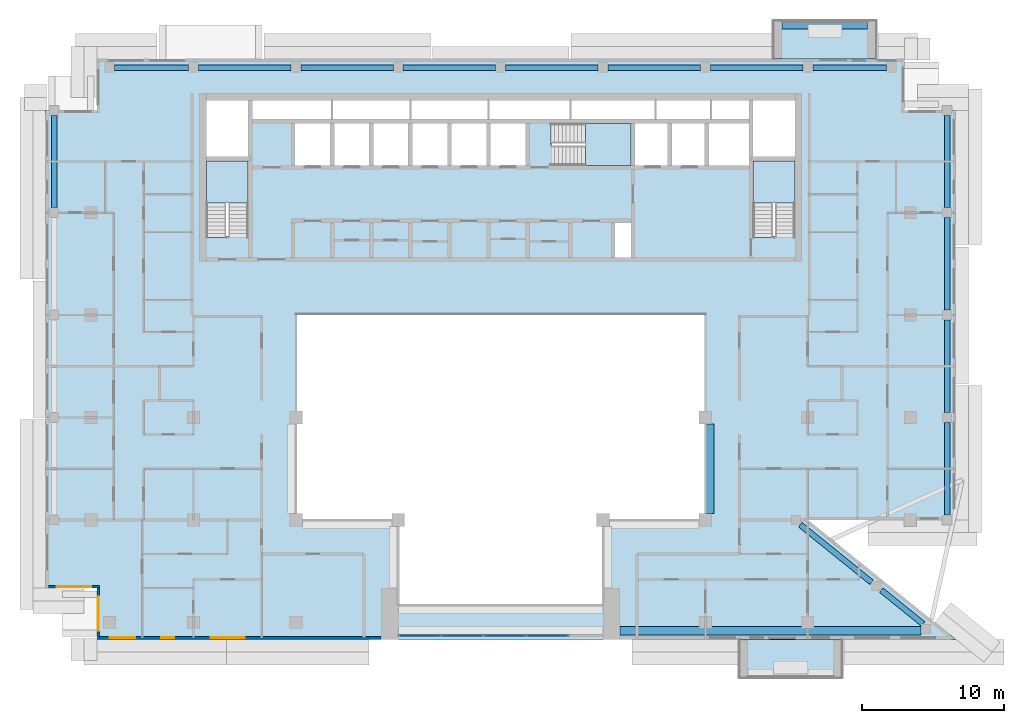
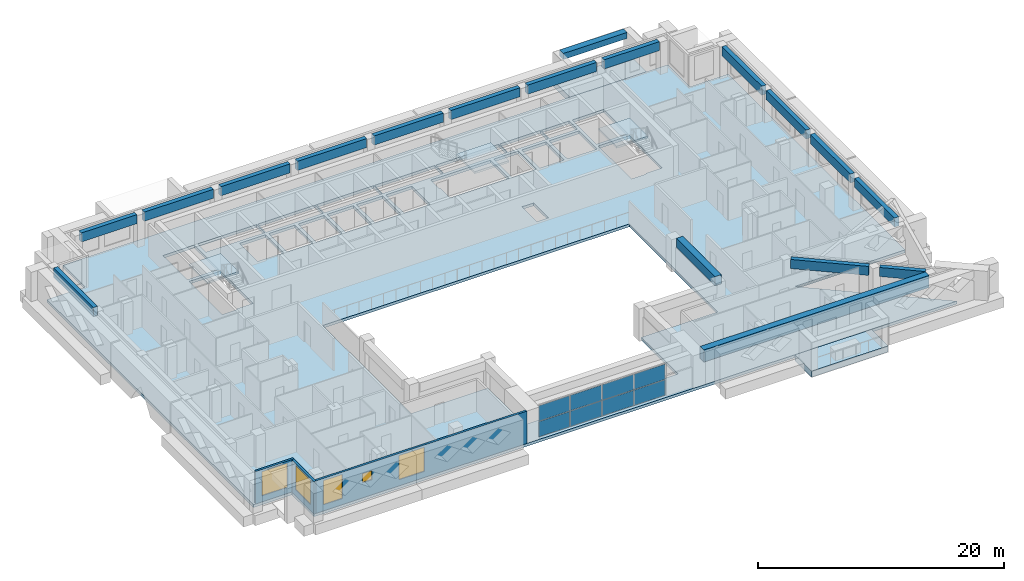
# One storey, part 5 of 19: 18 beams, 8 plates, 6 slabs, 5 windows, 3 walls, 5 openings, 4 elements without a shape of their own.
"""IFC4 building model written with IfcOpenShell, lengths in metres."""

from ifc_helpers import new_model, si_unit, direction, frame, frame_2d, origin, origin_2d, place, context, subcontext, project, spatial, polyline, rectangle, outline, extrude, source, transform, mapped, material, layer, layer_set, material_profile, profile_set, type_object, element, fill, aggregate, save


model = new_model("IFC4")

# Units and contexts
model_context = context("Model", 3, precision=1e-05, world=origin(), true_north=direction((0.0, 1.0)))
body_context = subcontext(model_context, "Body", "Model", "MODEL_VIEW")
ifc_project = project(units=[si_unit("LENGTHUNIT", "METRE"), si_unit("AREAUNIT", "SQUARE_METRE"), si_unit("VOLUMEUNIT", "CUBIC_METRE"), si_unit("PLANEANGLEUNIT", "RADIAN"), si_unit("MASSUNIT", "GRAM", prefix="KILO")], contexts=[model_context])

# Site, building, storey
site_placement = place(None, origin())
site = spatial("IfcSite", under=ifc_project, at=site_placement, CompositionType="ELEMENT")
building_placement = place(site_placement, origin())
building = spatial("IfcBuilding", under=site, at=building_placement, Name="Saffron Iwan Residences", CompositionType="ELEMENT")
storey_placement = place(building_placement, frame((0.0, 0.0, 215.0)))
storey = spatial("IfcBuildingStorey", under=building, at=storey_placement, Name="L57", CompositionType="ELEMENT", Elevation=215.0)

# Beams
ifc_material_1 = material(Name="Concrete C40/50", Category="concrete")
ifc_material_profile_1 = material_profile(ifc_material_1, rectangle(XDim=0.39990234375, YDim=0.89990234375, at=origin_2d()), Name="RC 400x900")
ifc_profile_set_1 = profile_set([ifc_material_profile_1], Name="Concrete C40/50")
beam_type_1 = type_object("IfcBeamType", Name="SPANDREL BEAM RC 400x900 C40/50 TOP 3220", PredefinedType="SPANDREL", material=ifc_profile_set_1)
shared_shape_1 = source(origin(), body_context, "Body", "SweptSolid", [
    extrude(rectangle(XDim=0.39990234375, YDim=0.89990234375, at=origin_2d()), origin(), (0.0, 0.0, 1.0), 3.767578125),
])
beam_1_placement = place(storey_placement, frame((77.173095703125, 43.050537109375, 2.77001953125), z_axis=(0.777920469401, -0.62836274817, 0.0), x_axis=(0.62836274817, 0.777920469401, 0.0)))
element("IfcBeam", 1, at=beam_1_placement, inside=storey, type_object=beam_type_1, Name="Spandrel beam", PredefinedType="SPANDREL", context=body_context, shape_type="MappedRepresentation", body=[
    mapped(shared_shape_1, transform((0.0, 0.0, 0.0))),
])
shared_shape_2 = source(origin(), body_context, "Body", "SweptSolid", [
    extrude(rectangle(XDim=0.39990234375, YDim=0.89990234375, at=origin_2d()), origin(), (0.0, 0.0, 1.0), 6.419921875),
])
beam_2_placement = place(storey_placement, frame((71.478515625, 47.64990234375, 2.77001953125), z_axis=(0.777940465262, -0.628337992253, 0.0), x_axis=(0.628337992253, 0.777940465262, 0.0)))
element("IfcBeam", 2, at=beam_2_placement, inside=storey, type_object=beam_type_1, Name="Spandrel beam", PredefinedType="SPANDREL", context=body_context, shape_type="MappedRepresentation", body=[
    mapped(shared_shape_2, transform((0.0, 0.0, 0.0))),
])
shared_shape_3 = source(origin(), body_context, "Body", "SweptSolid", [
    extrude(rectangle(XDim=0.39990234375, YDim=0.89990234375, at=origin_2d()), origin(), (0.0, 0.0, 1.0), 6.5),
])
for number, where, z_axis, x_axis, name in (
    (3, (81.800048828125, 54.85009765625, 2.77001953125), (0.0, -1.0, 0.0), (1.0, 0.0, 0.0), "Spandrel beam"),
    (4, (81.800048828125, 62.050048828125, 2.77001953125), (0.0, -1.0, 0.0), (1.0, 0.0, 0.0), "Spandrel beam"),
    (5, (81.800048828125, 69.25, 2.77001953125), (0.0, -1.0, 0.0), (1.0, 0.0, 0.0), "Spandrel beam"),
    (6, (19.0, 69.949951171875, 2.77001953125), (0.0, 1.0, 0.0), (-1.0, 0.0, 0.0), "Spandrel beam"),
    (7, (81.800048828125, 76.449951171875, 2.77001953125), (0.0, -1.0, 0.0), (1.0, 0.0, 0.0), "Spandrel beam"),
    (8, (29.14990234375, 79.800048828125, 2.77001953125), (1.0, 0.0, 0.0), (0.0, 1.0, 0.0), "Spandrel beam"),
    (9, (36.35009765625, 79.800048828125, 2.77001953125), (1.0, 0.0, 0.0), (0.0, 1.0, 0.0), "Spandrel beam"),
    (10, (43.550048828125, 79.800048828125, 2.77001953125), (1.0, 0.0, 0.0), (0.0, 1.0, 0.0), "Spandrel beam"),
    (11, (50.75, 79.800048828125, 2.77001953125), (1.0, 0.0, 0.0), (0.0, 1.0, 0.0), "Spandrel beam"),
    (12, (57.949951171875, 79.800048828125, 2.77001953125), (1.0, 0.0, 0.0), (0.0, 1.0, 0.0), "Spandrel beam"),
    (13, (65.14990234375, 79.800048828125, 2.77001953125), (1.0, 0.0, 0.0), (0.0, 1.0, 0.0), "Spandrel beam"),
):
    element("IfcBeam", number, at=place(storey_placement, frame(where, z_axis=z_axis, x_axis=x_axis)), inside=storey, type_object=beam_type_1, Name=name, PredefinedType="SPANDREL", context=body_context, shape_type="MappedRepresentation", body=[
        mapped(shared_shape_3, transform((0.0, 0.0, 0.0))),
    ])
shared_shape_4 = source(origin(), body_context, "Body", "SweptSolid", [
    extrude(rectangle(XDim=0.39990234375, YDim=0.89990234375, at=origin_2d()), origin(), (0.0, 0.0, 1.0), 5.199951171875),
])
for number, where, z_axis, x_axis, name in (
    (14, (23.25, 79.800048828125, 2.77001953125), (1.0, 0.0, 0.0), (0.0, 1.0, 0.0), "Spandrel beam"),
    (15, (72.35009765625, 79.800048828125, 2.77001953125), (1.0, 0.0, 0.0), (0.0, 1.0, 0.0), "Spandrel beam"),
):
    element("IfcBeam", number, at=place(storey_placement, frame(where, z_axis=z_axis, x_axis=x_axis)), inside=storey, type_object=beam_type_1, Name=name, PredefinedType="SPANDREL", context=body_context, shape_type="MappedRepresentation", body=[
        mapped(shared_shape_4, transform((0.0, 0.0, 0.0))),
    ])
ifc_material_profile_2 = material_profile(ifc_material_1, rectangle(XDim=0.60009765625, YDim=1.199951171875, at=origin_2d()), Name="RC 600x1200")
ifc_profile_set_2 = profile_set([ifc_material_profile_2], Name="Concrete C40/50")
beam_type_2 = type_object("IfcBeamType", Name="LINTEL BEAM RC 600x1200 C40/50 TOP 3220", PredefinedType="LINTEL", material=ifc_profile_set_2)
shared_shape_5 = source(origin(), body_context, "Body", "SweptSolid", [
    extrude(rectangle(XDim=0.60009765625, YDim=1.199951171875, at=origin_2d()), origin(), (0.0, 0.0, 1.0), 21.175537109375),
])
beam_3_placement = place(storey_placement, frame((79.9755859375, 40.199951171875, 2.6201171875), z_axis=(-1.0, 0.0, 0.0), x_axis=(0.0, -1.0, 0.0)))
element("IfcBeam", 16, at=beam_3_placement, inside=storey, type_object=beam_type_2, Name="Lintel beam over the iwan", PredefinedType="LINTEL", context=body_context, shape_type="MappedRepresentation", body=[
    mapped(shared_shape_5, transform((0.0, 0.0, 0.0))),
])
ifc_material_profile_3 = material_profile(ifc_material_1, rectangle(XDim=0.60009765625, YDim=0.89990234375, at=origin_2d()), Name="RC 600x900")
ifc_profile_set_3 = profile_set([ifc_material_profile_3], Name="Concrete C40/50")
beam_type_3 = type_object("IfcBeamType", Name="BEAM RC 600x900 C40/50 TOP 3220", PredefinedType="BEAM", material=ifc_profile_set_3)
shared_shape_6 = source(origin(), body_context, "Body", "SweptSolid", [
    extrude(rectangle(XDim=0.60009765625, YDim=0.89990234375, at=origin_2d()), origin(), (0.0, 0.0, 1.0), 6.300048828125),
])
beam_4_placement = place(storey_placement, frame((65.10009765625, 54.75, 2.77001953125), z_axis=(0.0, -1.0, 0.0), x_axis=(1.0, 0.0, 0.0)))
element("IfcBeam", 17, at=beam_4_placement, inside=storey, type_object=beam_type_3, Name="Atrium edge beam", PredefinedType="BEAM", context=body_context, shape_type="MappedRepresentation", body=[
    mapped(shared_shape_6, transform((0.0, 0.0, 0.0))),
])
ifc_material_2 = material(Name="Concrete C50/60 white painted", Category="concrete")
ifc_material_profile_4 = material_profile(ifc_material_2, rectangle(XDim=0.60009765625, YDim=0.60009765625, at=origin_2d()), Name="BALCONY FASCIA BEAM 600 x 600")
ifc_profile_set_4 = profile_set([ifc_material_profile_4], Name="Concrete C50/60 white painted")
beam_type_4 = type_object("IfcBeamType", Name="BALCONY FASCIA BEAM 600 x 600", PredefinedType="BEAM", material=ifc_profile_set_4)
shared_shape_7 = source(origin(), body_context, "Body", "SweptSolid", [
    extrude(rectangle(XDim=0.60009765625, YDim=0.60009765625, at=origin_2d()), origin(), (0.0, 0.0, 1.0), 6.0),
])
beam_5_placement = place(storey_placement, frame((76.199951171875, 82.800048828125, 2.550048828125), z_axis=(-1.0, 0.0, 0.0), x_axis=(0.0, -1.0, 0.0)))
element("IfcBeam", 18, at=beam_5_placement, inside=storey, type_object=beam_type_4, Name="Balcony fascia beam L57 F5-0", PredefinedType="BEAM", context=body_context, shape_type="MappedRepresentation", body=[
    mapped(shared_shape_7, transform((0.0, 0.0, 0.0))),
])

# Slabs
ifc_layer_1 = layer(ifc_material_2, 0.60009765625)
ifc_layer_set_1 = layer_set([ifc_layer_1], Name="Concrete C50/60 white painted")
slab_type_1 = type_object("IfcSlabType", Name="BALCONY FRAME SLAB 600", PredefinedType="FLOOR", material=ifc_layer_set_1)
slab_1_placement = place(storey_placement, frame((0.0, 0.0, -0.60009765625)))
element("IfcSlab", 19, at=slab_1_placement, inside=storey, type_object=slab_type_1, Name="Balcony frame slab L57 F5-0", PredefinedType="FLOOR", context=body_context, shape_type="SweptSolid", body=[
    extrude(outline(polyline([(76.800048828125, 83.10009765625), (69.60009765625, 83.10009765625), (69.60009765625, 80.39990234375), (76.800048828125, 80.39990234375), (76.800048828125, 83.10009765625)])), origin(), (0.0, 0.0, 1.0), 0.60009765625),
])
slab_2_placement = place(storey_placement, frame((0.0, 0.0, -0.60009765625)))
element("IfcSlab", 20, at=slab_2_placement, inside=storey, type_object=slab_type_1, Name="Balcony frame slab L57 11-1", PredefinedType="FLOOR", context=body_context, shape_type="SweptSolid", body=[
    extrude(outline(polyline([(67.199951171875, 36.89990234375), (74.39990234375, 36.89990234375), (74.39990234375, 39.60009765625), (67.199951171875, 39.60009765625), (67.199951171875, 36.89990234375)])), origin(), (0.0, 0.0, 1.0), 0.60009765625),
])
ifc_layer_2 = layer(ifc_material_1, 0.280029296875)
ifc_layer_set_2 = layer_set([ifc_layer_2], Name="Concrete C40/50")
slab_type_2 = type_object("IfcSlabType", Name="PT PLATE 280 C40/50", PredefinedType="FLOOR", material=ifc_layer_set_2)
slab_3_placement = place(storey_placement, frame((0.0, 0.0, -0.280029296875)))
element("IfcSlab", 21, at=slab_3_placement, inside=storey, type_object=slab_type_2, Name="Floor slab L57", PredefinedType="FLOOR", context=body_context, shape_type="SweptSolid", body=[
    extrude(outline(polyline([(18.39990234375, 43.199951171875), (18.39990234375, 76.800048828125), (22.0, 76.800048828125), (22.0, 80.39990234375), (78.800048828125, 80.39990234375), (78.800048828125, 76.800048828125), (82.39990234375, 76.800048828125), (82.39990234375, 48.0), (72.0, 48.0), (82.39990234375, 39.60009765625), (22.0, 39.60009765625), (22.0, 43.199951171875), (18.39990234375, 43.199951171875)]), holes=[polyline([(64.800048828125, 48.0), (64.800048828125, 62.39990234375), (36.0, 62.39990234375), (36.0, 48.0), (43.199951171875, 48.0), (43.199951171875, 42.0), (57.60009765625, 42.0), (57.60009765625, 48.0), (64.800048828125, 48.0)]), polyline([(29.699951171875, 73.25), (29.699951171875, 67.949951171875), (29.699951171875, 67.8505859375), (31.10009765625, 67.8505859375), (31.10009765625, 67.949951171875), (32.64990234375, 67.949951171875), (32.64990234375, 73.25), (29.699951171875, 73.25)]), polyline([(38.39990234375, 75.875), (35.949951171875, 75.875), (35.949951171875, 72.925048828125), (38.39990234375, 72.925048828125), (38.39990234375, 75.875)]), polyline([(41.14990234375, 75.875), (38.699951171875, 75.875), (38.699951171875, 72.925048828125), (41.14990234375, 72.925048828125), (41.14990234375, 75.875)]), polyline([(43.89990234375, 72.925048828125), (43.89990234375, 75.875), (41.449951171875, 75.875), (41.449951171875, 72.925048828125), (43.89990234375, 72.925048828125)]), polyline([(46.64990234375, 72.925048828125), (46.64990234375, 75.875), (44.199951171875, 75.875), (44.199951171875, 72.925048828125), (46.64990234375, 72.925048828125)]), polyline([(49.39990234375, 75.875), (46.949951171875, 75.875), (46.949951171875, 72.925048828125), (49.39990234375, 72.925048828125), (49.39990234375, 75.875)]), polyline([(52.14990234375, 72.925048828125), (52.14990234375, 75.875), (49.699951171875, 75.875), (49.699951171875, 72.925048828125), (52.14990234375, 72.925048828125)]), polyline([(32.64990234375, 73.550048828125), (32.64990234375, 77.5), (29.699951171875, 77.5), (29.699951171875, 73.550048828125), (32.64990234375, 73.550048828125)]), polyline([(38.5, 77.5), (32.949951171875, 77.5), (32.949951171875, 76.175048828125), (38.5, 76.175048828125), (38.5, 77.5)]), polyline([(44.0, 76.175048828125), (44.0, 77.5), (38.60009765625, 77.5), (38.60009765625, 76.175048828125), (44.0, 76.175048828125)]), polyline([(49.5, 76.175048828125), (49.5, 77.5), (44.10009765625, 77.5), (44.10009765625, 76.175048828125), (49.5, 76.175048828125)]), polyline([(59.550048828125, 68.875), (58.449951171875, 68.875), (58.449951171875, 66.449951171875), (59.550048828125, 66.449951171875), (59.550048828125, 68.875)]), polyline([(68.14990234375, 73.25), (68.14990234375, 67.949951171875), (68.14990234375, 67.8505859375), (69.550048828125, 67.8505859375), (69.550048828125, 67.949951171875), (71.10009765625, 67.949951171875), (71.10009765625, 73.25), (68.14990234375, 73.25)]), polyline([(54.02490234375, 74.47509765625), (54.02490234375, 72.925048828125), (59.550048828125, 72.925048828125), (59.550048828125, 75.875), (54.02490234375, 75.875), (53.925537109375, 75.875), (53.925537109375, 74.47509765625), (54.02490234375, 74.47509765625)]), polyline([(62.14990234375, 72.925048828125), (62.14990234375, 75.875), (59.85009765625, 75.875), (59.85009765625, 72.925048828125), (62.14990234375, 72.925048828125)]), polyline([(64.75, 72.925048828125), (64.75, 75.875), (62.449951171875, 75.875), (62.449951171875, 72.925048828125), (64.75, 72.925048828125)]), polyline([(67.85009765625, 75.875), (65.050048828125, 75.875), (65.050048828125, 72.925048828125), (67.85009765625, 72.925048828125), (67.85009765625, 75.875)]), polyline([(71.10009765625, 73.550048828125), (71.10009765625, 77.5), (68.14990234375, 77.5), (68.14990234375, 73.550048828125), (71.10009765625, 73.550048828125)]), polyline([(55.25, 76.175048828125), (55.25, 77.5), (49.60009765625, 77.5), (49.60009765625, 76.175048828125), (55.25, 76.175048828125)]), polyline([(61.25, 77.5), (55.35009765625, 77.5), (55.35009765625, 76.175048828125), (61.25, 76.175048828125), (61.25, 77.5)]), polyline([(65.14990234375, 76.175048828125), (65.14990234375, 77.5), (61.35009765625, 77.5), (61.35009765625, 76.175048828125), (65.14990234375, 76.175048828125)]), polyline([(67.85009765625, 76.175048828125), (67.85009765625, 77.5), (65.25, 77.5), (65.25, 76.175048828125), (67.85009765625, 76.175048828125)])]), origin(), (0.0, 0.0, 1.0), 0.280029296875),
])

# Stair, slab
ifc_material_3 = material(Name="Concrete C50/60", Category="concrete")
stair_type = type_object("IfcStairType", Name="Stair ST-CORE", PredefinedType="HALF_TURN_STAIR", material=ifc_material_3)
stair_1_placement = place(storey_placement, origin())
stair_1 = element("IfcStair", 22, at=stair_1_placement, inside=storey, type_object=stair_type, Name="L57 Exit Stair ST-W", PredefinedType="HALF_TURN_STAIR")
ifc_layer_3 = layer(ifc_material_3, 0.199951171875)
ifc_layer_set_3 = layer_set([ifc_layer_3], Name="Concrete C50/60")
slab_type_3 = type_object("IfcSlabType", Name="Stair landing SL-RC", PredefinedType="LANDING", material=ifc_layer_set_3)
slab_4_placement = place(storey_placement, frame((0.0, 0.0, 1.5498046875)))
slab_4 = element("IfcSlab", 23, at=slab_4_placement, type_object=slab_type_3, Name="ST-W landing 1", PredefinedType="LANDING", context=body_context, shape_type="SweptSolid", body=[
    extrude(outline(polyline([(32.64990234375, 70.280029296875), (32.64990234375, 73.25), (29.699951171875, 73.25), (29.699951171875, 70.280029296875), (32.64990234375, 70.280029296875)])), origin(), (0.0, 0.0, 1.0), 0.2001953125),
])
aggregate(stair_1, [slab_4])

stair_2_placement = place(storey_placement, origin())
stair_2 = element("IfcStair", 24, at=stair_2_placement, inside=storey, type_object=stair_type, Name="L57 Exit Stair ST-C", PredefinedType="HALF_TURN_STAIR")
slab_5_placement = place(storey_placement, frame((0.0, 0.0, 1.5498046875)))
slab_5 = element("IfcSlab", 25, at=slab_5_placement, type_object=slab_type_3, Name="ST-C landing 1", PredefinedType="LANDING", context=body_context, shape_type="SweptSolid", body=[
    extrude(outline(polyline([(56.35498046875, 72.925048828125), (59.550048828125, 72.925048828125), (59.550048828125, 75.875), (56.35498046875, 75.875), (56.35498046875, 72.925048828125)])), origin(), (0.0, 0.0, 1.0), 0.2001953125),
])
aggregate(stair_2, [slab_5])

stair_3_placement = place(storey_placement, origin())
stair_3 = element("IfcStair", 26, at=stair_3_placement, inside=storey, type_object=stair_type, Name="L57 Exit Stair ST-E", PredefinedType="HALF_TURN_STAIR")
slab_6_placement = place(storey_placement, frame((0.0, 0.0, 1.5498046875)))
slab_6 = element("IfcSlab", 27, at=slab_6_placement, type_object=slab_type_3, Name="ST-E landing 1", PredefinedType="LANDING", context=body_context, shape_type="SweptSolid", body=[
    extrude(outline(polyline([(71.10009765625, 70.280029296875), (71.10009765625, 73.25), (68.14990234375, 73.25), (68.14990234375, 70.280029296875), (71.10009765625, 70.280029296875)])), origin(), (0.0, 0.0, 1.0), 0.2001953125),
])
aggregate(stair_3, [slab_6])

# Curtain wall, plates
ifc_material_4 = material(Name="Clear glass, laminated double glazed", Category="glass")
ifc_layer_4 = layer(ifc_material_4, 0.199951171875)
ifc_layer_set_4 = layer_set([ifc_layer_4], Name="Clear glass, laminated double glazed")
curtain_wall_type = type_object("IfcCurtainWallType", Name="CW-B IWAN PORTAL", PredefinedType="NOTDEFINED", material=ifc_layer_set_4)
curtain_wall_placement = place(storey_placement, origin())
curtain_wall = element("IfcCurtainWall", 28, at=curtain_wall_placement, inside=storey, type_object=curtain_wall_type, Name="Iwan portal glazing L57.1", PredefinedType="NOTDEFINED")
ifc_layer_5 = layer(ifc_material_4, 0.028076171875)
ifc_layer_set_5 = layer_set([ifc_layer_5], Name="Clear glass, laminated double glazed")
plate_type = type_object("IfcPlateType", Name="CW-B PANEL 28", PredefinedType="CURTAIN_PANEL", material=ifc_layer_set_5)
shared_shape_8 = source(origin(), body_context, "Body", "SweptSolid", [
    extrude(rectangle(XDim=2.909912109375, YDim=0.028076171875, at=origin_2d()), origin(), (0.0, 0.0, 1.0), 1.52001953125),
])
plate_1_placement = place(storey_placement, frame((44.715087890625, 39.85009765625, 0.06005859375), z_axis=(0.0, 0.0, 1.0), x_axis=(1.0, 0.0, 0.0)))
plate_1 = element("IfcPlate", 29, at=plate_1_placement, type_object=plate_type, Name="CW-B panel 1.1", PredefinedType="CURTAIN_PANEL", context=body_context, shape_type="MappedRepresentation", body=[
    mapped(shared_shape_8, transform((0.0, 0.0, 0.0))),
])
plate_2_placement = place(storey_placement, frame((44.715087890625, 39.85009765625, 1.639892578125), z_axis=(0.0, 0.0, 1.0), x_axis=(1.0, 0.0, 0.0)))
plate_2 = element("IfcPlate", 30, at=plate_2_placement, type_object=plate_type, Name="CW-B panel 1.2", PredefinedType="CURTAIN_PANEL", context=body_context, shape_type="MappedRepresentation", body=[
    mapped(shared_shape_8, transform((0.0, 0.0, 0.0))),
])
plate_3_placement = place(storey_placement, frame((53.68505859375, 39.85009765625, 0.06005859375), z_axis=(0.0, 0.0, 1.0), x_axis=(1.0, 0.0, 0.0)))
plate_3 = element("IfcPlate", 31, at=plate_3_placement, type_object=plate_type, Name="CW-B panel 4.1", PredefinedType="CURTAIN_PANEL", context=body_context, shape_type="MappedRepresentation", body=[
    mapped(shared_shape_8, transform((0.0, 0.0, 0.0))),
])
plate_4_placement = place(storey_placement, frame((53.68505859375, 39.85009765625, 1.639892578125), z_axis=(0.0, 0.0, 1.0), x_axis=(1.0, 0.0, 0.0)))
plate_4 = element("IfcPlate", 32, at=plate_4_placement, type_object=plate_type, Name="CW-B panel 4.2", PredefinedType="CURTAIN_PANEL", context=body_context, shape_type="MappedRepresentation", body=[
    mapped(shared_shape_8, transform((0.0, 0.0, 0.0))),
])
shared_shape_9 = source(origin(), body_context, "Body", "SweptSolid", [
    extrude(rectangle(XDim=2.93994140625, YDim=0.028076171875, at=origin_2d()), origin(), (0.0, 0.0, 1.0), 1.52001953125),
])
plate_5_placement = place(storey_placement, frame((47.699951171875, 39.85009765625, 0.06005859375), z_axis=(0.0, 0.0, 1.0), x_axis=(1.0, 0.0, 0.0)))
plate_5 = element("IfcPlate", 33, at=plate_5_placement, type_object=plate_type, Name="CW-B panel 2.1", PredefinedType="CURTAIN_PANEL", context=body_context, shape_type="MappedRepresentation", body=[
    mapped(shared_shape_9, transform((0.0, 0.0, 0.0))),
])
plate_6_placement = place(storey_placement, frame((47.699951171875, 39.85009765625, 1.639892578125), z_axis=(0.0, 0.0, 1.0), x_axis=(1.0, 0.0, 0.0)))
plate_6 = element("IfcPlate", 34, at=plate_6_placement, type_object=plate_type, Name="CW-B panel 2.2", PredefinedType="CURTAIN_PANEL", context=body_context, shape_type="MappedRepresentation", body=[
    mapped(shared_shape_9, transform((0.0, 0.0, 0.0))),
])
plate_7_placement = place(storey_placement, frame((50.699951171875, 39.85009765625, 0.06005859375), z_axis=(0.0, 0.0, 1.0), x_axis=(1.0, 0.0, 0.0)))
plate_7 = element("IfcPlate", 35, at=plate_7_placement, type_object=plate_type, Name="CW-B panel 3.1", PredefinedType="CURTAIN_PANEL", context=body_context, shape_type="MappedRepresentation", body=[
    mapped(shared_shape_9, transform((0.0, 0.0, 0.0))),
])
plate_8_placement = place(storey_placement, frame((50.699951171875, 39.85009765625, 1.639892578125), z_axis=(0.0, 0.0, 1.0), x_axis=(1.0, 0.0, 0.0)))
plate_8 = element("IfcPlate", 36, at=plate_8_placement, type_object=plate_type, Name="CW-B panel 3.2", PredefinedType="CURTAIN_PANEL", context=body_context, shape_type="MappedRepresentation", body=[
    mapped(shared_shape_9, transform((0.0, 0.0, 0.0))),
])
aggregate(curtain_wall, [plate_1, plate_2, plate_5, plate_6, plate_7, plate_8, plate_3, plate_4])

# Wall, opening, window
ifc_layer_6 = layer(ifc_material_1, 0.199951171875)
ifc_layer_set_6 = layer_set([ifc_layer_6], Name="Concrete C40/50")
wall_type = type_object("IfcWallType", Name="EXTERNAL WALL 200", PredefinedType="SOLIDWALL", material=ifc_layer_set_6)
wall_1_placement = place(storey_placement, frame((18.60009765625, 43.300048828125, 0.0), z_axis=(0.0, 0.0, 1.0), x_axis=(1.0, 0.0, 0.0)))
wall_1 = element("IfcWall", 37, at=wall_1_placement, inside=storey, type_object=wall_type, Name="External wall L57 F9.0", PredefinedType="SOLIDWALL", context=body_context, shape_type="SweptSolid", body=[
    extrude(rectangle(XDim=3.599853515625, YDim=0.199951171875, at=frame_2d((1.7998046875, 0.0))), origin(), (0.0, 0.0, 1.0), 3.219970703125),
])
opening_1_placement = place(wall_1_placement, frame((0.60009765625, 0.0, 0.60009765625)))
opening_1 = element("IfcOpeningElement", 38, at=opening_1_placement, cuts=wall_1, Name="Opening W1", PredefinedType="OPENING", context=body_context, shape_type="SweptSolid", body=[
    extrude(rectangle(XDim=2.39990234375, YDim=2.39990234375, at=frame_2d((1.199951171875, 1.199951171875))), frame((0.0, 0.10986328125, 0.0), z_axis=(0.0, -1.0, 0.0), x_axis=(1.0, 0.0, 0.0)), (0.0, 0.0, 1.0), 0.219970703125),
])
window_type_1 = type_object("IfcWindowType", Name="WINDOW 2400 x 2400", PartitioningType="DOUBLE_PANEL_VERTICAL", PredefinedType="WINDOW", material=ifc_material_4)
window_1_placement = place(opening_1_placement, origin())
window_1 = element("IfcWindow", 39, at=window_1_placement, inside=storey, type_object=window_type_1, Name="Window L57 F9.0", OverallHeight=2.39990234375, OverallWidth=2.39990234375, PartitioningType="DOUBLE_PANEL_VERTICAL", PredefinedType="WINDOW", context=body_context, shape_type="SweptSolid", body=[
    extrude(rectangle(XDim=2.39990234375, YDim=2.39990234375, at=frame_2d((1.199951171875, 1.199951171875))), frame((0.0, 0.030029296875, 0.0), z_axis=(0.0, -1.0, 0.0), x_axis=(1.0, 0.0, 0.0)), (0.0, 0.0, 1.0), 0.06005859375),
])
fill(opening_1, window_1)

wall_2_placement = place(storey_placement, frame((22.10009765625, 43.199951171875, 0.0), z_axis=(0.0, 0.0, 1.0), x_axis=(0.0, -1.0, 0.0)))
wall_2 = element("IfcWall", 40, at=wall_2_placement, inside=storey, type_object=wall_type, Name="External wall L57 F10.0", PredefinedType="SOLIDWALL", context=body_context, shape_type="SweptSolid", body=[
    extrude(rectangle(XDim=3.599853515625, YDim=0.199951171875, at=frame_2d((1.7998046875, 0.0))), origin(), (0.0, 0.0, 1.0), 3.219970703125),
])
opening_2_placement = place(wall_2_placement, frame((0.60009765625, 0.0, 0.60009765625)))
opening_2 = element("IfcOpeningElement", 41, at=opening_2_placement, cuts=wall_2, Name="Opening W1", PredefinedType="OPENING", context=body_context, shape_type="SweptSolid", body=[
    extrude(rectangle(XDim=2.39990234375, YDim=2.39990234375, at=frame_2d((1.199951171875, 1.199951171875))), frame((0.0, 0.10986328125, 0.0), z_axis=(0.0, -1.0, 0.0), x_axis=(1.0, 0.0, 0.0)), (0.0, 0.0, 1.0), 0.219970703125),
])
window_2_placement = place(opening_2_placement, origin())
window_2 = element("IfcWindow", 42, at=window_2_placement, inside=storey, type_object=window_type_1, Name="Window L57 F10.0", OverallHeight=2.39990234375, OverallWidth=2.39990234375, PartitioningType="DOUBLE_PANEL_VERTICAL", PredefinedType="WINDOW", context=body_context, shape_type="SweptSolid", body=[
    extrude(rectangle(XDim=2.39990234375, YDim=2.39990234375, at=frame_2d((1.199951171875, 1.199951171875))), frame((0.0, 0.030029296875, 0.0), z_axis=(0.0, -1.0, 0.0), x_axis=(1.0, 0.0, 0.0)), (0.0, 0.0, 1.0), 0.06005859375),
])
fill(opening_2, window_2)

# Wall, openings, windows
wall_3_placement = place(storey_placement, frame((22.199951171875, 39.699951171875, 0.0), z_axis=(0.0, 0.0, 1.0), x_axis=(1.0, 0.0, 0.0)))
wall_3 = element("IfcWall", 43, at=wall_3_placement, inside=storey, type_object=wall_type, Name="External wall L57 F11.0", PredefinedType="SOLIDWALL", context=body_context, shape_type="SweptSolid", body=[
    extrude(rectangle(XDim=19.800048828125, YDim=0.199951171875, at=frame_2d((9.89990234375, 0.0))), origin(), (0.0, 0.0, 1.0), 3.219970703125),
])
opening_3_placement = place(wall_3_placement, frame((0.699951171875, 0.0, 0.60009765625)))
opening_3 = element("IfcOpeningElement", 44, at=opening_3_placement, cuts=wall_3, Name="Opening W8", PredefinedType="OPENING", context=body_context, shape_type="SweptSolid", body=[
    extrude(rectangle(XDim=1.800048828125, YDim=2.39990234375, at=frame_2d((0.89990234375, 1.199951171875))), frame((0.0, 0.10986328125, 0.0), z_axis=(0.0, -1.0, 0.0), x_axis=(1.0, 0.0, 0.0)), (0.0, 0.0, 1.0), 0.219970703125),
])
opening_4_placement = place(wall_3_placement, frame((7.800048828125, 0.0, 0.60009765625)))
opening_4 = element("IfcOpeningElement", 45, at=opening_4_placement, cuts=wall_3, Name="Opening W1", PredefinedType="OPENING", context=body_context, shape_type="SweptSolid", body=[
    extrude(rectangle(XDim=2.39990234375, YDim=2.39990234375, at=frame_2d((1.199951171875, 1.199951171875))), frame((0.0, 0.10986328125, 0.0), z_axis=(0.0, -1.0, 0.0), x_axis=(1.0, 0.0, 0.0)), (0.0, 0.0, 1.0), 0.219970703125),
])
opening_5_placement = place(wall_3_placement, frame((4.35009765625, 0.0, 1.5)))
opening_5 = element("IfcOpeningElement", 46, at=opening_5_placement, cuts=wall_3, Name="Opening W6", PredefinedType="OPENING", context=body_context, shape_type="SweptSolid", body=[
    extrude(rectangle(XDim=0.89990234375, YDim=0.89990234375, at=frame_2d((0.449951171875, 0.449951171875))), frame((0.0, 0.10986328125, 0.0), z_axis=(0.0, -1.0, 0.0), x_axis=(1.0, 0.0, 0.0)), (0.0, 0.0, 1.0), 0.219970703125),
])
window_type_2 = type_object("IfcWindowType", Name="WINDOW 1800 x 2400", PartitioningType="DOUBLE_PANEL_VERTICAL", PredefinedType="WINDOW", material=ifc_material_4)
window_3_placement = place(opening_3_placement, origin())
window_3 = element("IfcWindow", 47, at=window_3_placement, inside=storey, type_object=window_type_2, Name="Window L57 F11.0", OverallHeight=2.39990234375, OverallWidth=1.800048828125, PartitioningType="DOUBLE_PANEL_VERTICAL", PredefinedType="WINDOW", context=body_context, shape_type="SweptSolid", body=[
    extrude(rectangle(XDim=1.800048828125, YDim=2.39990234375, at=frame_2d((0.89990234375, 1.199951171875))), frame((0.0, 0.030029296875, 0.0), z_axis=(0.0, -1.0, 0.0), x_axis=(1.0, 0.0, 0.0)), (0.0, 0.0, 1.0), 0.06005859375),
])
fill(opening_3, window_3)
window_4_placement = place(opening_4_placement, origin())
window_4 = element("IfcWindow", 48, at=window_4_placement, inside=storey, type_object=window_type_1, Name="Window L57 F11.1", OverallHeight=2.39990234375, OverallWidth=2.39990234375, PartitioningType="DOUBLE_PANEL_VERTICAL", PredefinedType="WINDOW", context=body_context, shape_type="SweptSolid", body=[
    extrude(rectangle(XDim=2.39990234375, YDim=2.39990234375, at=frame_2d((1.199951171875, 1.199951171875))), frame((0.0, 0.030029296875, 0.0), z_axis=(0.0, -1.0, 0.0), x_axis=(1.0, 0.0, 0.0)), (0.0, 0.0, 1.0), 0.06005859375),
])
fill(opening_4, window_4)
window_type_3 = type_object("IfcWindowType", Name="WINDOW 900 x 900 BATH", PartitioningType="SINGLE_PANEL", PredefinedType="WINDOW", material=ifc_material_4)
window_5_placement = place(opening_5_placement, origin())
window_5 = element("IfcWindow", 49, at=window_5_placement, inside=storey, type_object=window_type_3, Name="Window L57 F11.2", OverallHeight=0.89990234375, OverallWidth=0.89990234375, PartitioningType="SINGLE_PANEL", PredefinedType="WINDOW", context=body_context, shape_type="SweptSolid", body=[
    extrude(rectangle(XDim=0.89990234375, YDim=0.89990234375, at=frame_2d((0.449951171875, 0.449951171875))), frame((0.0, 0.030029296875, 0.0), z_axis=(0.0, -1.0, 0.0), x_axis=(1.0, 0.0, 0.0)), (0.0, 0.0, 1.0), 0.06005859375),
])
fill(opening_5, window_5)

save(model, "model.ifc")
